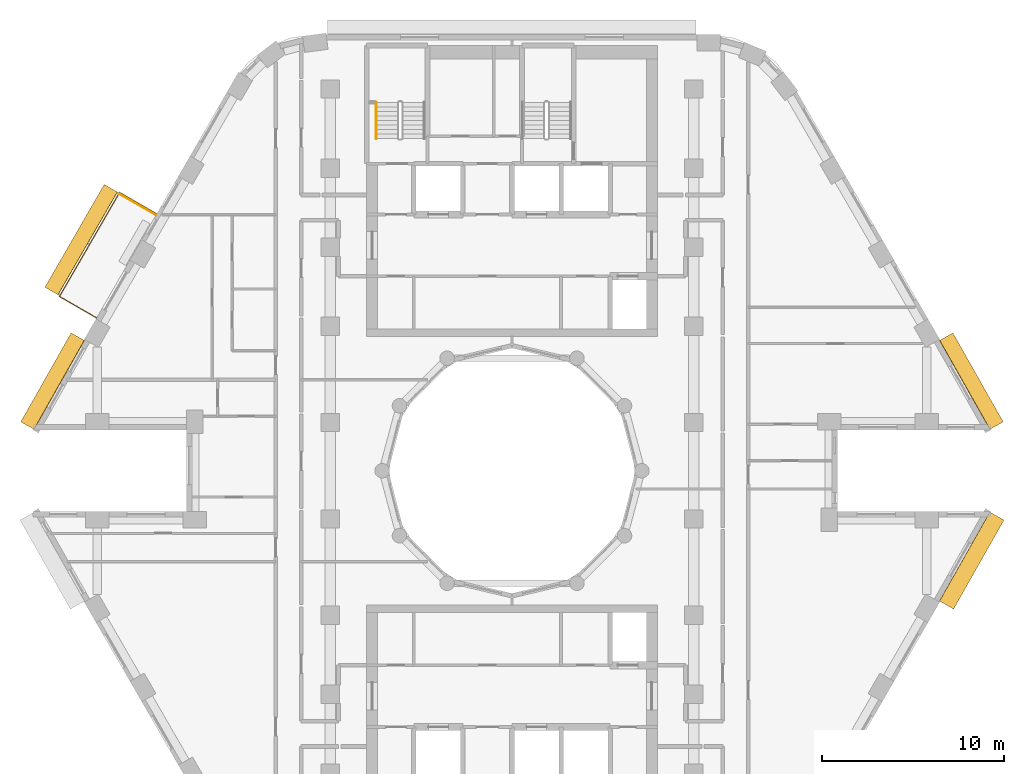
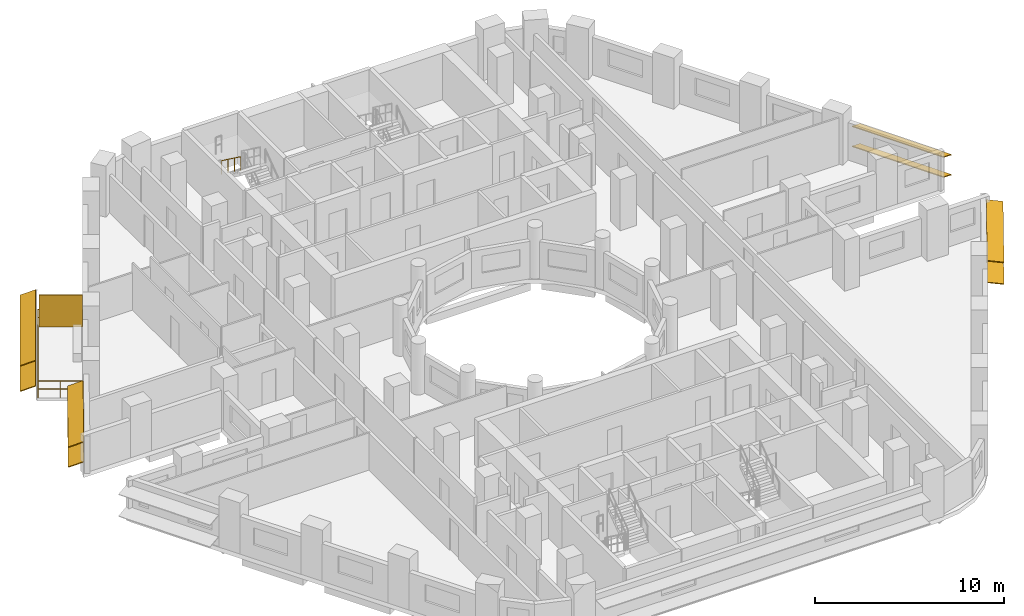
# One storey, part 12 of 13: 9 shading devices, 2 railings.
"""IFC4 building model written with IfcOpenShell, lengths in metres."""

from ifc_helpers import new_model, si_unit, direction, frame, origin, origin_2d, place, context, subcontext, project, spatial, rectangle, circle, extrude, material, layer, layer_set, material_profile, profile_set, type_object, element, save


model = new_model("IFC4")

# Units and contexts
model_context = context("Model", 3, precision=1e-05, world=origin(), true_north=direction((0.0, 1.0)))
body_context = subcontext(model_context, "Body", "Model", "MODEL_VIEW")
ifc_project = project(units=[si_unit("LENGTHUNIT", "METRE"), si_unit("AREAUNIT", "SQUARE_METRE"), si_unit("VOLUMEUNIT", "CUBIC_METRE"), si_unit("PLANEANGLEUNIT", "RADIAN"), si_unit("MASSUNIT", "GRAM", prefix="KILO")], contexts=[model_context])

# Site, building, storey
site_placement = place(None, origin())
site = spatial("IfcSite", under=ifc_project, at=site_placement, CompositionType="ELEMENT")
building_placement = place(site_placement, origin())
building = spatial("IfcBuilding", under=site, at=building_placement, Name="Nakaniwa Court", CompositionType="ELEMENT")
storey_placement = place(building_placement, frame((0.0, 0.0, 156.89990234375)))
storey = spatial("IfcBuildingStorey", under=building, at=storey_placement, Name="L41", CompositionType="ELEMENT", Elevation=156.89990234375)

# Railing
ifc_material_1 = material(Name="Black powder-coated steel flat bar balustrade S275", Category="steel")
railing_type_1 = type_object("IfcRailingType", Name="Black metal balcony guard 1100", PredefinedType="GUARDRAIL", material=ifc_material_1)
railing_1_placement = place(storey_placement, frame((60.44677734375, 94.133056640625, -0.0498046875)))
element("IfcRailing", 1, at=railing_1_placement, inside=storey, type_object=railing_type_1, Name="L41 balcony guard 01", PredefinedType="GUARDRAIL", context=body_context, shape_type="SweptSolid", body=[
    extrude(circle(Radius=0.02392578125, at=origin_2d()), frame((0.0, 0.0, 1.076171875), z_axis=(-0.866025363618, 0.50000006957, 0.0), x_axis=(-0.50000006957, -0.866025363618, 0.0)), (0.0, 0.0, 1.0), 2.35986328125),
    extrude(circle(Radius=0.02392578125, at=origin_2d()), frame((0.0, 0.0, 0.550048828125), z_axis=(-0.866025363618, 0.50000006957, 0.0), x_axis=(-0.50000006957, -0.866025363618, 0.0)), (0.0, 0.0, 1.0), 2.35986328125),
    extrude(circle(Radius=0.02392578125, at=origin_2d()), frame((-2.043701171875, 1.179931640625, 1.076171875), z_axis=(-0.500004921708, -0.866022562216, 0.0), x_axis=(0.866022562216, -0.500004921708, 0.0)), (0.0, 0.0, 1.0), 6.60888671875),
    extrude(circle(Radius=0.02392578125, at=origin_2d()), frame((-2.043701171875, 1.179931640625, 0.550048828125), z_axis=(-0.500004921708, -0.866022562216, 0.0), x_axis=(0.866022562216, -0.500004921708, 0.0)), (0.0, 0.0, 1.0), 6.60888671875),
    extrude(circle(Radius=0.02392578125, at=origin_2d()), frame((-5.34814453125, -4.54345703125, 1.076171875), z_axis=(0.866006432019, -0.500032858622, 0.0), x_axis=(0.500032858622, 0.866006432019, 0.0)), (0.0, 0.0, 1.0), 2.360107421875),
    extrude(circle(Radius=0.02392578125, at=origin_2d()), frame((-5.34814453125, -4.54345703125, 0.550048828125), z_axis=(0.866006432019, -0.500032858622, 0.0), x_axis=(0.500032858622, 0.866006432019, 0.0)), (0.0, 0.0, 1.0), 2.360107421875),
    extrude(circle(Radius=0.02099609375, at=origin_2d()), origin(), (0.0, 0.0, 1.0), 1.052001953125),
    extrude(circle(Radius=0.02099609375, at=origin_2d()), frame((-1.02197265625, 0.58984375, 0.0)), (0.0, 0.0, 1.0), 1.052001953125),
    extrude(circle(Radius=0.02099609375, at=origin_2d()), frame((-2.043701171875, 1.179931640625, 0.0)), (0.0, 0.0, 1.0), 1.052001953125),
    extrude(circle(Radius=0.02099609375, at=origin_2d()), frame((-2.594482421875, 0.22607421875, 0.0)), (0.0, 0.0, 1.0), 1.052001953125),
    extrude(circle(Radius=0.02099609375, at=origin_2d()), frame((-3.145263671875, -0.727783203125, 0.0)), (0.0, 0.0, 1.0), 1.052001953125),
    extrude(circle(Radius=0.02099609375, at=origin_2d()), frame((-3.69580078125, -1.681640625, 0.0)), (0.0, 0.0, 1.0), 1.052001953125),
    extrude(circle(Radius=0.02099609375, at=origin_2d()), frame((-4.24658203125, -2.6357421875, 0.0)), (0.0, 0.0, 1.0), 1.052001953125),
    extrude(circle(Radius=0.02099609375, at=origin_2d()), frame((-4.79736328125, -3.589599609375, 0.0)), (0.0, 0.0, 1.0), 1.052001953125),
    extrude(circle(Radius=0.02099609375, at=origin_2d()), frame((-5.34814453125, -4.54345703125, 0.0)), (0.0, 0.0, 1.0), 1.052001953125),
    extrude(circle(Radius=0.02099609375, at=origin_2d()), frame((-4.326171875, -5.133544921875, 0.0)), (0.0, 0.0, 1.0), 1.052001953125),
    extrude(circle(Radius=0.02099609375, at=origin_2d()), frame((-3.30419921875, -5.7236328125, 0.0)), (0.0, 0.0, 1.0), 1.052001953125),
])

# Shading devices
ifc_material_2 = material(Name="Black powder-coated aluminium slat screen", Category="aluminium")
ifc_layer = layer(ifc_material_2, 0.0400390625)
ifc_layer_set = layer_set([ifc_layer], Name="Black powder-coated aluminium slat screen")
shading_device_type_1 = type_object("IfcShadingDeviceType", Name="Koshi screen black metal", PredefinedType="USERDEFINED", material=ifc_layer_set)
shading_device_placement = place(storey_placement, frame((59.406494140625, 94.64111328125, -0.050048828125), z_axis=(0.0, 0.0, 1.0), x_axis=(-0.499975815814, -0.866039366081, 0.0)))
element("IfcShadingDevice", 2, at=shading_device_placement, inside=storey, type_object=shading_device_type_1, Name="L41 balcony SCREEN 01 W", ObjectType="KOSHI SCREEN", PredefinedType="USERDEFINED", context=body_context, shape_type="SweptSolid", body=[
    extrude(rectangle(XDim=0.0400390625, YDim=2.31005859375, at=origin_2d()), origin(), (0.0, 0.0, 1.0), 2.10009765625),
])
ifc_material_3 = material(Name="Perforated charcoal ceramic louvre blade")
ifc_material_profile = material_profile(ifc_material_3, rectangle(XDim=0.89990234375, YDim=0.050048828125, at=origin_2d()), Name="Perforated ceramic louvre blade")
ifc_profile_set = profile_set([ifc_material_profile], Name="Perforated charcoal ceramic louvre blade")
shading_device_type_2 = type_object("IfcShadingDeviceType", Name="Perforated ceramic louvre blade", PredefinedType="JALOUSIE", material=ifc_profile_set)
for number, where, z_axis, x_axis, name in (
    (3, (57.927978515625, 95.541015625, 0.5), (-0.499959831567, -0.866048593798, 0.0), (0.80012456997, -0.461902655462, 0.382683432365), "L41 perforated ceramic louvre blade 01 1"),
    (4, (57.927978515625, 95.541015625, 2.150146484375), (-0.499959831567, -0.866048593798, 0.0), (0.80012456997, -0.461902655462, 0.382683432365), "L41 perforated ceramic louvre blade 01 2"),
):
    element("IfcShadingDevice", number, at=place(storey_placement, frame(where, z_axis=z_axis, x_axis=x_axis)), inside=storey, type_object=shading_device_type_2, Name=name, PredefinedType="JALOUSIE", context=body_context, shape_type="SweptSolid", body=[
        extrude(rectangle(XDim=0.89990234375, YDim=0.050048828125, at=origin_2d()), origin(), (0.0, 0.0, 1.0), 6.52880859375),
    ])
for number, where, z_axis, x_axis, name in (
    (5, (106.662353515625, 82.48046875, 0.550048828125), (-0.49253187421, 0.870294405869, 0.0), (-0.804627241022, -0.455368390728, 0.38107037635), "L41 perforated ceramic louvre blade w02 1"),
    (6, (106.662353515625, 82.48046875, 1.845458984375), (-0.49253187421, 0.870294405869, 0.0), (-0.804627241022, -0.455368390728, 0.38107037635), "L41 perforated ceramic louvre blade w02 2"),
    (7, (56.10888671875, 87.377197265625, 0.550048828125), (-0.49253187421, -0.870294405869, 0.0), (0.804627241022, -0.455368390728, 0.38107037635), "L41 perforated ceramic louvre blade w14 1"),
    (8, (56.10888671875, 87.377197265625, 1.845458984375), (-0.49253187421, -0.870294405869, 0.0), (0.804627241022, -0.455368390728, 0.38107037635), "L41 perforated ceramic louvre blade w14 2"),
    (9, (103.911865234375, 72.611083984375, 0.550048828125), (0.49253187421, 0.870294405869, 0.0), (-0.862649339692, 0.488205247786, 0.132256390257), "L41 perforated ceramic louvre blade w32 1"),
    (10, (103.911865234375, 72.611083984375, 1.955810546875), (0.49253187421, 0.870294405869, 0.0), (-0.862649339692, 0.488205247786, 0.132256390257), "L41 perforated ceramic louvre blade w32 2"),
):
    element("IfcShadingDevice", number, at=place(storey_placement, frame(where, z_axis=z_axis, x_axis=x_axis)), inside=storey, type_object=shading_device_type_2, Name=name, PredefinedType="JALOUSIE", context=body_context, shape_type="SweptSolid", body=[
        extrude(rectangle(XDim=0.89990234375, YDim=0.050048828125, at=origin_2d()), origin(), (0.0, 0.0, 1.0), 5.62646484375),
    ])

# Railing
ifc_material_4 = material(Name="Black powder coated steel handrail", Category="steel")
railing_type_2 = type_object("IfcRailingType", Name="Stair handrail 900", PredefinedType="HANDRAIL", material=ifc_material_4)
railing_2_placement = place(storey_placement, frame((72.52490234375, 100.27490234375, 1.83349609375)))
element("IfcRailing", 11, at=railing_2_placement, inside=storey, type_object=railing_type_2, Name="L41 ST1 stair handrail 2", PredefinedType="HANDRAIL", context=body_context, shape_type="SweptSolid", body=[
    extrude(circle(Radius=0.02392578125, at=origin_2d()), frame((0.0, 0.0, 0.8759765625), z_axis=(0.0, -0.806426902644, 0.591333789573), x_axis=(1.0, 0.0, 0.0)), (0.0, 0.0, 1.0), 2.47998046875),
    extrude(circle(Radius=0.02099609375, at=origin_2d()), origin(), (0.0, 0.0, 1.0), 0.851806640625),
    extrude(circle(Radius=0.02099609375, at=origin_2d()), frame((0.0, -0.666748046875, 0.48876953125)), (0.0, 0.0, 1.0), 0.851806640625),
    extrude(circle(Radius=0.02099609375, at=origin_2d()), frame((0.0, -1.333251953125, 0.977783203125)), (0.0, 0.0, 1.0), 0.851806640625),
    extrude(circle(Radius=0.02099609375, at=origin_2d()), frame((0.0, -2.0, 1.466552734375)), (0.0, 0.0, 1.0), 0.851806640625),
])

save(model, "model.ifc")
